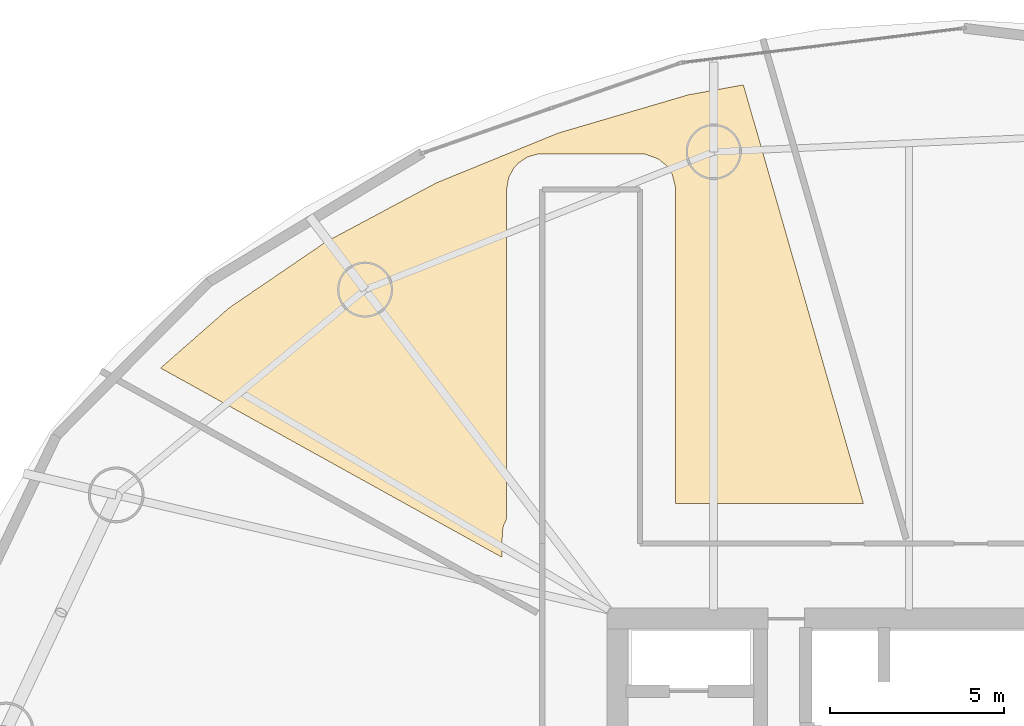
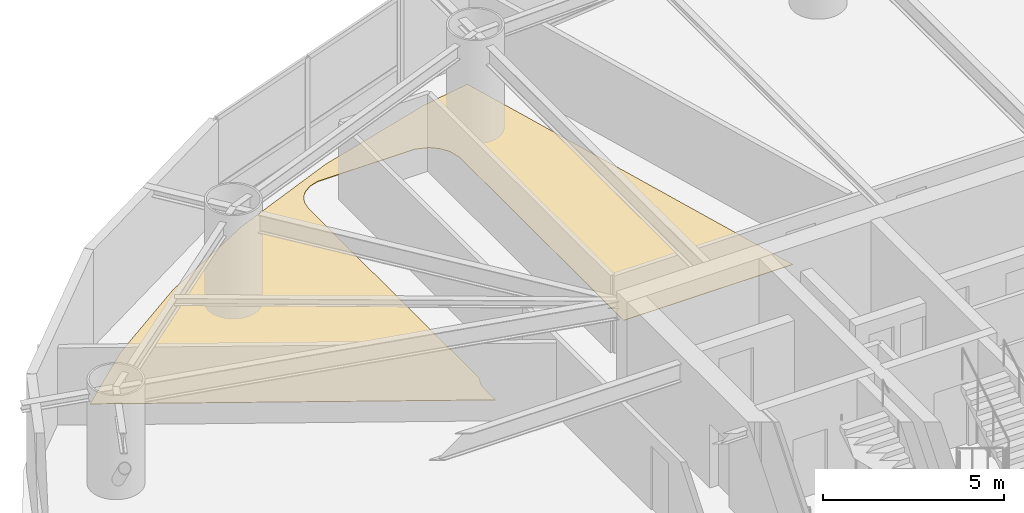
# One storey, part 30 of 30: 1 covering.
"""IFC4 building model written with IfcOpenShell, lengths in metres."""

import ifcopenshell
import ifcopenshell.guid

model = None  # the IFC model being written
_history = None  # IfcOwnerHistory: only IFC2X3 demands one
_inside = {}  # id of a spatial element -> (the spatial element, [elements in it])
_under = {}  # id of a project, library or spatial element -> (it, [spatial elements below it])
_declared = {}  # id of a project -> (the project, [libraries it declares])
_typed = {}  # id of a type object -> (the type object, [elements of that type])
_made_of = {}  # id of a material, layer set ... -> (it, [elements and type objects made of it])


def new_model(schema):
    """Start an empty IFC model of exactly this schema.

    Asked for "IFC4X3", IfcOpenShell would pick the latest addendum, in which some entities
    have other attributes; the version numbers below select the first issue.
    IFC2X3 requires an IfcOwnerHistory on every rooted entity: one is made here for all.
    """
    global model, _history
    if schema == "IFC4X3":
        model = ifcopenshell.file(schema_version=(4, 3, 0, 0))
    else:
        model = ifcopenshell.file(schema=schema)
    _inside.clear()
    _under.clear()
    _declared.clear()
    _typed.clear()
    _made_of.clear()
    _history = None
    if model.schema == "IFC2X3":
        org = make("IfcOrganization", Name="unknown")
        user = make(
            "IfcPersonAndOrganization",
            ThePerson=make("IfcPerson", FamilyName="unknown"),
            TheOrganization=org,
        )
        app = make(
            "IfcApplication",
            ApplicationDeveloper=org,
            Version="unknown",
            ApplicationFullName="unknown",
            ApplicationIdentifier="unknown",
        )
        _history = make(
            "IfcOwnerHistory",
            OwningUser=user,
            OwningApplication=app,
            ChangeAction="ADDED",
            CreationDate=0,
        )
    return model


def make(cls, **values):
    """One entity of the class cls with the attributes given. An attribute that is None is left unset."""
    return model.create_entity(
        cls, **{name: value for name, value in values.items() if value is not None}
    )


def rooted(cls, **values):
    """An entity with a GlobalId (a new one), such as an element, a storey or a relation."""
    return make(cls, GlobalId=ifcopenshell.guid.new(), OwnerHistory=_history, **values)


def si_unit(unit_type, name, prefix=None):
    """IfcSIUnit, for example si_unit("LENGTHUNIT", "METRE", prefix="MILLI")."""
    return make("IfcSIUnit", UnitType=unit_type, Prefix=prefix, Name=name)


def assignment(units):
    """IfcUnitAssignment: the units of a project."""
    return None if units is None else make("IfcUnitAssignment", Units=units)


def point(xyz):
    """IfcCartesianPoint."""
    return None if xyz is None else make("IfcCartesianPoint", Coordinates=xyz)


def direction(xyz):
    """IfcDirection."""
    return None if xyz is None else make("IfcDirection", DirectionRatios=xyz)


def frame(location, z_axis=None, x_axis=None):
    """IfcAxis2Placement3D, a coordinate frame: its origin and axes. An axis left out is left unset."""
    return make(
        "IfcAxis2Placement3D",
        Location=point(location),
        Axis=direction(z_axis),
        RefDirection=direction(x_axis),
    )


def origin():
    """The frame at (0, 0, 0) with its axes left unset."""
    return frame((0.0, 0.0, 0.0))


def place(relative_to, where):
    """IfcLocalPlacement: puts the frame where relative to a parent placement (None: the world)."""
    return make(
        "IfcLocalPlacement", PlacementRelTo=relative_to, RelativePlacement=where
    )


def context(
    kind, dimensions, precision=None, world=None, true_north=None, identifier=None
):
    """IfcGeometricRepresentationContext, for example the 3D "Model" context."""
    return make(
        "IfcGeometricRepresentationContext",
        ContextIdentifier=identifier,
        ContextType=kind,
        CoordinateSpaceDimension=dimensions,
        Precision=precision,
        WorldCoordinateSystem=world,
        TrueNorth=true_north,
    )


def subcontext(parent, identifier, kind, view, scale=None):
    """IfcGeometricRepresentationSubContext, for example "Body" below "Model"."""
    return make(
        "IfcGeometricRepresentationSubContext",
        ContextIdentifier=identifier,
        ContextType=kind,
        ParentContext=parent,
        TargetScale=scale,
        TargetView=view,
    )


def project(units=None, contexts=None):
    """IfcProject with its units and contexts."""
    return rooted(
        "IfcProject",
        Name="project",
        RepresentationContexts=contexts,
        UnitsInContext=assignment(units),
    )


def spatial(cls, under=None, at=None, **own):
    """A site, building, storey or space (cls), placed at a placement, below another one or the project."""
    s = rooted(cls, ObjectPlacement=at, **own)
    if under is not None:
        _under.setdefault(under.id(), (under, []))[1].append(s)
    return s


def polyline(points):
    """IfcPolyline through the points."""
    return make("IfcPolyline", Points=[point(p) for p in points])


def outline(outer, holes=None, kind="AREA"):
    """IfcArbitraryClosedProfileDef: a profile drawn as a closed curve; with holes, ...WithVoids."""
    if holes is None:
        return make("IfcArbitraryClosedProfileDef", ProfileType=kind, OuterCurve=outer)
    return make(
        "IfcArbitraryProfileDefWithVoids",
        ProfileType=kind,
        OuterCurve=outer,
        InnerCurves=holes,
    )


def extrude(swept, where, along, depth):
    """IfcExtrudedAreaSolid: the profile swept, set in the frame where, extruded along a direction by depth."""
    return make(
        "IfcExtrudedAreaSolid",
        SweptArea=swept,
        Position=where,
        ExtrudedDirection=direction(along),
        Depth=depth,
    )


def shape(context_of_items, identifier, shape_type, items):
    """IfcShapeRepresentation: the items that make up one representation, for example the "Body"."""
    return make(
        "IfcShapeRepresentation",
        ContextOfItems=context_of_items,
        RepresentationIdentifier=identifier,
        RepresentationType=shape_type,
        Items=items,
    )


def material(Name=None, Category=None):
    """IfcMaterial."""
    return make("IfcMaterial", Name=Name, Category=Category)


def layer(
    of_material, thickness, ventilated=None, Name=None, Category=None, Priority=None
):
    """IfcMaterialLayer: one layer of a wall or slab, of a material (None: an air gap)."""
    return make(
        "IfcMaterialLayer",
        Material=of_material,
        LayerThickness=thickness,
        IsVentilated=ventilated,
        Name=Name,
        Category=Category,
        Priority=Priority,
    )


def layer_set(layers, Name=None):
    """IfcMaterialLayerSet."""
    return make("IfcMaterialLayerSet", MaterialLayers=layers, LayerSetName=Name)


def made_of(thing, what):
    """Note that an element or type object is made of a material, layer set ...; save() writes the relation."""
    if what is not None:
        _made_of.setdefault(what.id(), (what, []))[1].append(thing)
    return thing


def type_object(cls, material=None, **own):
    """A type object (cls), such as IfcWallType, which elements share."""
    return made_of(rooted(cls, **own), material)


def element(
    cls,
    number,
    at=None,
    inside=None,
    cuts=None,
    type_object=None,
    material=None,
    context=None,
    identifier="Body",
    shape_type=None,
    held_by="IfcProductDefinitionShape",
    body=None,
    shapes=None,
    **own,
):
    """One element of the class cls, such as IfcWall. Its Tag is "e" and its number.

    at: its placement. inside: the storey or other place that contains it. cuts: it is an
    opening in that element (IfcRelVoidsElement). A single representation is given by context,
    identifier, shape_type and body (its items); several are given by shapes. held_by: the class
    of the entity that holds the representations. save() writes the other relations.
    """
    e = rooted(cls, Tag="e%d" % number, ObjectPlacement=at, **own)
    if body is not None:
        shapes = [shape(context, identifier, shape_type, body)]
    if shapes is not None:
        e.Representation = make(held_by, Representations=shapes)
    if inside is not None:
        _inside.setdefault(inside.id(), (inside, []))[1].append(e)
    if cuts is not None:
        rooted(
            "IfcRelVoidsElement", RelatingBuildingElement=cuts, RelatedOpeningElement=e
        )
    if type_object is not None:
        _typed.setdefault(type_object.id(), (type_object, []))[1].append(e)
    return made_of(e, material)


def aggregate(whole, parts):
    """IfcRelAggregates: a whole, such as a stair, and the parts it consists of."""
    return rooted("IfcRelAggregates", RelatingObject=whole, RelatedObjects=parts)


def save(model, path):
    """Write the relations noted so far, then the file.

    IfcRelAggregates (storeys below a building ...), IfcRelContainedInSpatialStructure (elements
    in a storey), IfcRelDefinesByType, IfcRelAssociatesMaterial and IfcRelDeclares: one each for
    every whole, place, type object, material and project.
    """
    for whole, parts in _under.values():
        aggregate(whole, parts)
    for where, things in _inside.values():
        rooted(
            "IfcRelContainedInSpatialStructure",
            RelatedElements=things,
            RelatingStructure=where,
        )
    for kind, things in _typed.values():
        rooted("IfcRelDefinesByType", RelatedObjects=things, RelatingType=kind)
    for what, things in _made_of.values():
        rooted("IfcRelAssociatesMaterial", RelatedObjects=things, RelatingMaterial=what)
    for by, libraries in _declared.values():
        rooted("IfcRelDeclares", RelatingContext=by, RelatedDefinitions=libraries)
    model.write(path)


model = new_model("IFC4")

# Units and contexts
model_context = context("Model", 3, precision=1e-05, world=origin(), true_north=direction((0.0, 1.0)))
body_context = subcontext(model_context, "Body", "Model", "MODEL_VIEW")
ifc_project = project(units=[si_unit("LENGTHUNIT", "METRE"), si_unit("AREAUNIT", "SQUARE_METRE"), si_unit("VOLUMEUNIT", "CUBIC_METRE"), si_unit("PLANEANGLEUNIT", "RADIAN"), si_unit("MASSUNIT", "GRAM", prefix="KILO")], contexts=[model_context])

# Site, building, storey
site_placement = place(None, origin())
site = spatial("IfcSite", under=ifc_project, at=site_placement, CompositionType="ELEMENT")
building_placement = place(site_placement, origin())
building = spatial("IfcBuilding", under=site, at=building_placement, Name="Bramvorn Convention Spire", CompositionType="ELEMENT")
storey_placement = place(building_placement, frame((0.0, 0.0, 90.39990234375)))
storey = spatial("IfcBuildingStorey", under=building, at=storey_placement, Name="L21", CompositionType="ELEMENT", Elevation=90.39990234375)

# Covering
ifc_material = material(Name="Solution-Dyed Wool Broadloom Hospitality Carpet", Category="textile")
ifc_layer = layer(ifc_material, 0.014892578125)
ifc_layer_set = layer_set([ifc_layer], Name="Solution-Dyed Wool Broadloom Hospitality Carpet - FLR-CARPET-15")
covering_type = type_object("IfcCoveringType", Name="FLR-CARPET-15", PredefinedType="FLOORING", material=ifc_layer_set)
covering_placement = place(storey_placement, origin())
element("IfcCovering", 1, at=covering_placement, inside=storey, type_object=covering_type, Name="Hotel Suite 2103 wool broadloom carpet", PredefinedType="FLOORING", context=body_context, shape_type="SweptSolid", body=[
    extrude(outline(polyline([(23.699951171875, 34.95556640625), (23.704345703125, 35.688232421875), (23.73876953125, 35.861328125), (23.830078125, 36.063720703125), (23.830078125, 45.5), (23.8876953125, 45.837890625), (24.02734375, 46.102783203125), (24.16943359375, 46.259521484375), (24.419189453125, 46.424560546875), (24.694580078125, 46.508056640625), (27.805419921875, 46.508056640625), (28.169189453125, 46.377685546875), (28.401611328125, 46.189208984375), (28.574462890625, 45.9306640625), (28.668212890625, 45.555908203125), (28.669921875, 36.5), (34.052978515625, 36.5), (30.61328125, 48.495849609375), (29.03857421875, 48.211181640625), (25.304443359375, 47.1142578125), (21.818603515625, 45.689453125), (18.65576171875, 44.001220703125), (15.881103515625, 42.10888671875), (13.91259765625, 40.380859375), (23.699951171875, 34.95556640625)])), origin(), (0.0, 0.0, 1.0), 0.01513671875),
])

save(model, "model.ifc")
